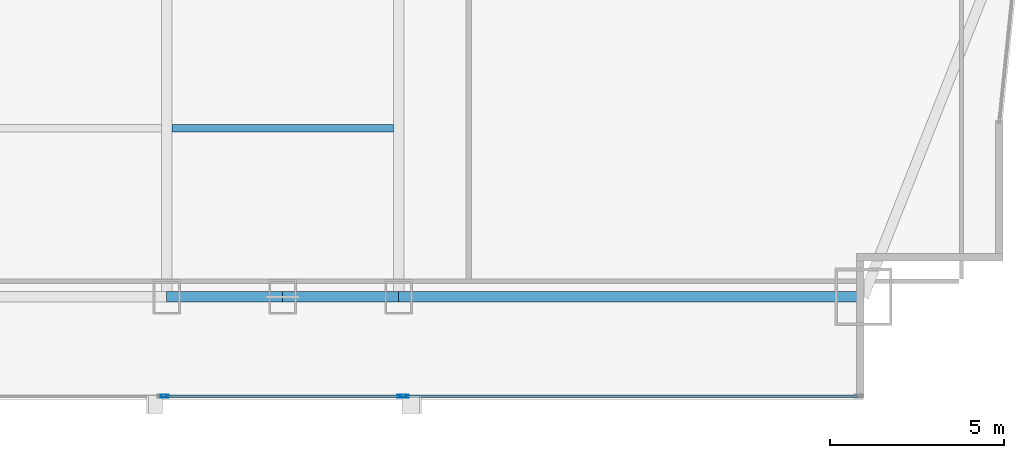
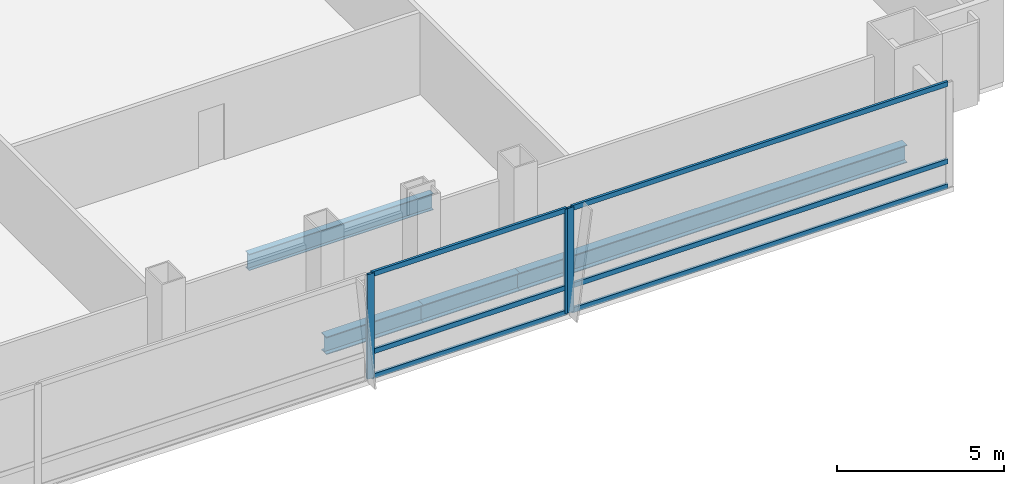
# One storey, part 14 of 33: 9 members, 4 beams, 2 elements without a shape of their own.
"""IFC4 building model written with IfcOpenShell, lengths in metres."""

import ifcopenshell
import ifcopenshell.guid

model = None  # the IFC model being written
_history = None  # IfcOwnerHistory: only IFC2X3 demands one
_inside = {}  # id of a spatial element -> (the spatial element, [elements in it])
_under = {}  # id of a project, library or spatial element -> (it, [spatial elements below it])
_declared = {}  # id of a project -> (the project, [libraries it declares])
_typed = {}  # id of a type object -> (the type object, [elements of that type])
_made_of = {}  # id of a material, layer set ... -> (it, [elements and type objects made of it])


def new_model(schema):
    """Start an empty IFC model of exactly this schema.

    Asked for "IFC4X3", IfcOpenShell would pick the latest addendum, in which some entities
    have other attributes; the version numbers below select the first issue.
    IFC2X3 requires an IfcOwnerHistory on every rooted entity: one is made here for all.
    """
    global model, _history
    if schema == "IFC4X3":
        model = ifcopenshell.file(schema_version=(4, 3, 0, 0))
    else:
        model = ifcopenshell.file(schema=schema)
    _inside.clear()
    _under.clear()
    _declared.clear()
    _typed.clear()
    _made_of.clear()
    _history = None
    if model.schema == "IFC2X3":
        org = make("IfcOrganization", Name="unknown")
        user = make(
            "IfcPersonAndOrganization",
            ThePerson=make("IfcPerson", FamilyName="unknown"),
            TheOrganization=org,
        )
        app = make(
            "IfcApplication",
            ApplicationDeveloper=org,
            Version="unknown",
            ApplicationFullName="unknown",
            ApplicationIdentifier="unknown",
        )
        _history = make(
            "IfcOwnerHistory",
            OwningUser=user,
            OwningApplication=app,
            ChangeAction="ADDED",
            CreationDate=0,
        )
    return model


def make(cls, **values):
    """One entity of the class cls with the attributes given. An attribute that is None is left unset."""
    return model.create_entity(
        cls, **{name: value for name, value in values.items() if value is not None}
    )


def rooted(cls, **values):
    """An entity with a GlobalId (a new one), such as an element, a storey or a relation."""
    return make(cls, GlobalId=ifcopenshell.guid.new(), OwnerHistory=_history, **values)


def si_unit(unit_type, name, prefix=None):
    """IfcSIUnit, for example si_unit("LENGTHUNIT", "METRE", prefix="MILLI")."""
    return make("IfcSIUnit", UnitType=unit_type, Prefix=prefix, Name=name)


def assignment(units):
    """IfcUnitAssignment: the units of a project."""
    return None if units is None else make("IfcUnitAssignment", Units=units)


def point(xyz):
    """IfcCartesianPoint."""
    return None if xyz is None else make("IfcCartesianPoint", Coordinates=xyz)


def direction(xyz):
    """IfcDirection."""
    return None if xyz is None else make("IfcDirection", DirectionRatios=xyz)


def frame(location, z_axis=None, x_axis=None):
    """IfcAxis2Placement3D, a coordinate frame: its origin and axes. An axis left out is left unset."""
    return make(
        "IfcAxis2Placement3D",
        Location=point(location),
        Axis=direction(z_axis),
        RefDirection=direction(x_axis),
    )


def frame_2d(location, x_axis=None):
    """IfcAxis2Placement2D, a coordinate frame in the plane: its origin and x axis."""
    return make(
        "IfcAxis2Placement2D", Location=point(location), RefDirection=direction(x_axis)
    )


def origin():
    """The frame at (0, 0, 0) with its axes left unset."""
    return frame((0.0, 0.0, 0.0))


def origin_2d():
    """The frame at (0, 0) in the plane with its x axis left unset."""
    return frame_2d((0.0, 0.0))


def place(relative_to, where):
    """IfcLocalPlacement: puts the frame where relative to a parent placement (None: the world)."""
    return make(
        "IfcLocalPlacement", PlacementRelTo=relative_to, RelativePlacement=where
    )


def context(
    kind, dimensions, precision=None, world=None, true_north=None, identifier=None
):
    """IfcGeometricRepresentationContext, for example the 3D "Model" context."""
    return make(
        "IfcGeometricRepresentationContext",
        ContextIdentifier=identifier,
        ContextType=kind,
        CoordinateSpaceDimension=dimensions,
        Precision=precision,
        WorldCoordinateSystem=world,
        TrueNorth=true_north,
    )


def subcontext(parent, identifier, kind, view, scale=None):
    """IfcGeometricRepresentationSubContext, for example "Body" below "Model"."""
    return make(
        "IfcGeometricRepresentationSubContext",
        ContextIdentifier=identifier,
        ContextType=kind,
        ParentContext=parent,
        TargetScale=scale,
        TargetView=view,
    )


def project(units=None, contexts=None):
    """IfcProject with its units and contexts."""
    return rooted(
        "IfcProject",
        Name="project",
        RepresentationContexts=contexts,
        UnitsInContext=assignment(units),
    )


def spatial(cls, under=None, at=None, **own):
    """A site, building, storey or space (cls), placed at a placement, below another one or the project."""
    s = rooted(cls, ObjectPlacement=at, **own)
    if under is not None:
        _under.setdefault(under.id(), (under, []))[1].append(s)
    return s


def profile(cls, at=None, kind="AREA", **sizes):
    """A parametric profile (cls). Its sizes go by their IFC names, for example OverallWidth=200.0."""
    return make(cls, ProfileType=kind, Position=at, **sizes)


def hollow_rectangle(**sizes):
    """IfcRectangleHollowProfileDef."""
    return profile("IfcRectangleHollowProfileDef", **sizes)


def i_section(**sizes):
    """IfcIShapeProfileDef."""
    return profile("IfcIShapeProfileDef", **sizes)


def extrude(swept, where, along, depth):
    """IfcExtrudedAreaSolid: the profile swept, set in the frame where, extruded along a direction by depth."""
    return make(
        "IfcExtrudedAreaSolid",
        SweptArea=swept,
        Position=where,
        ExtrudedDirection=direction(along),
        Depth=depth,
    )


def shape(context_of_items, identifier, shape_type, items):
    """IfcShapeRepresentation: the items that make up one representation, for example the "Body"."""
    return make(
        "IfcShapeRepresentation",
        ContextOfItems=context_of_items,
        RepresentationIdentifier=identifier,
        RepresentationType=shape_type,
        Items=items,
    )


def material(Name=None, Category=None):
    """IfcMaterial."""
    return make("IfcMaterial", Name=Name, Category=Category)


def material_profile(
    of_material, cross_section, Name=None, Category=None, Priority=None
):
    """IfcMaterialProfile: a cross section and its material."""
    return make(
        "IfcMaterialProfile",
        Name=Name,
        Material=of_material,
        Profile=cross_section,
        Priority=Priority,
        Category=Category,
    )


def profile_set(profiles, Name=None, composite=None):
    """IfcMaterialProfileSet."""
    return make(
        "IfcMaterialProfileSet",
        Name=Name,
        MaterialProfiles=profiles,
        CompositeProfile=composite,
    )


def made_of(thing, what):
    """Note that an element or type object is made of a material, layer set ...; save() writes the relation."""
    if what is not None:
        _made_of.setdefault(what.id(), (what, []))[1].append(thing)
    return thing


def type_object(cls, material=None, **own):
    """A type object (cls), such as IfcWallType, which elements share."""
    return made_of(rooted(cls, **own), material)


def element(
    cls,
    number,
    at=None,
    inside=None,
    cuts=None,
    type_object=None,
    material=None,
    context=None,
    identifier="Body",
    shape_type=None,
    held_by="IfcProductDefinitionShape",
    body=None,
    shapes=None,
    **own,
):
    """One element of the class cls, such as IfcWall. Its Tag is "e" and its number.

    at: its placement. inside: the storey or other place that contains it. cuts: it is an
    opening in that element (IfcRelVoidsElement). A single representation is given by context,
    identifier, shape_type and body (its items); several are given by shapes. held_by: the class
    of the entity that holds the representations. save() writes the other relations.
    """
    e = rooted(cls, Tag="e%d" % number, ObjectPlacement=at, **own)
    if body is not None:
        shapes = [shape(context, identifier, shape_type, body)]
    if shapes is not None:
        e.Representation = make(held_by, Representations=shapes)
    if inside is not None:
        _inside.setdefault(inside.id(), (inside, []))[1].append(e)
    if cuts is not None:
        rooted(
            "IfcRelVoidsElement", RelatingBuildingElement=cuts, RelatedOpeningElement=e
        )
    if type_object is not None:
        _typed.setdefault(type_object.id(), (type_object, []))[1].append(e)
    return made_of(e, material)


def aggregate(whole, parts):
    """IfcRelAggregates: a whole, such as a stair, and the parts it consists of."""
    return rooted("IfcRelAggregates", RelatingObject=whole, RelatedObjects=parts)


def save(model, path):
    """Write the relations noted so far, then the file.

    IfcRelAggregates (storeys below a building ...), IfcRelContainedInSpatialStructure (elements
    in a storey), IfcRelDefinesByType, IfcRelAssociatesMaterial and IfcRelDeclares: one each for
    every whole, place, type object, material and project.
    """
    for whole, parts in _under.values():
        aggregate(whole, parts)
    for where, things in _inside.values():
        rooted(
            "IfcRelContainedInSpatialStructure",
            RelatedElements=things,
            RelatingStructure=where,
        )
    for kind, things in _typed.values():
        rooted("IfcRelDefinesByType", RelatedObjects=things, RelatingType=kind)
    for what, things in _made_of.values():
        rooted("IfcRelAssociatesMaterial", RelatedObjects=things, RelatingMaterial=what)
    for by, libraries in _declared.values():
        rooted("IfcRelDeclares", RelatingContext=by, RelatedDefinitions=libraries)
    model.write(path)


model = new_model("IFC4")

# Units and contexts
model_context = context("Model", 3, precision=1e-05, world=origin(), true_north=direction((0.0, 1.0)))
body_context = subcontext(model_context, "Body", "Model", "MODEL_VIEW")
ifc_project = project(units=[si_unit("LENGTHUNIT", "METRE"), si_unit("AREAUNIT", "SQUARE_METRE"), si_unit("VOLUMEUNIT", "CUBIC_METRE"), si_unit("PLANEANGLEUNIT", "RADIAN"), si_unit("MASSUNIT", "GRAM", prefix="KILO")], contexts=[model_context])

# Site, building, storey
site_placement = place(None, origin())
site = spatial("IfcSite", under=ifc_project, at=site_placement, CompositionType="ELEMENT")
building_placement = place(site_placement, origin())
building = spatial("IfcBuilding", under=site, at=building_placement, Name="Khoronbel Lancet Exchange", CompositionType="ELEMENT")
storey_placement = place(building_placement, frame((0.0, 0.0, 33.800048828125)))
storey = spatial("IfcBuildingStorey", under=building, at=storey_placement, Name="L07", CompositionType="ELEMENT", Elevation=33.800048828125)

# Beams
ifc_material_1 = material(Name="Steel S355", Category="steel")
ifc_material_profile_1 = material_profile(ifc_material_1, i_section(OverallWidth=0.219970703125, OverallDepth=0.60009765625, WebThickness=0.011962890625, FlangeThickness=0.01904296875, at=origin_2d()), Name="IPE 600")
ifc_profile_set_1 = profile_set([ifc_material_profile_1], Name="Steel S355")
beam_type_1 = type_object("IfcBeamType", Name="BM-BJ1", PredefinedType="JOIST", material=ifc_profile_set_1)
beam_1_placement = place(storey_placement, frame((48.14990234375, 15.0, -0.47998046875), z_axis=(1.0, 0.0, 0.0), x_axis=(0.0, 1.0, 0.0)))
element("IfcBeam", 1, at=beam_1_placement, inside=storey, type_object=beam_type_1, Name="Level L07 secondary composite joist J05", PredefinedType="JOIST", context=body_context, shape_type="SweptSolid", body=[
    extrude(i_section(OverallWidth=0.219970703125, OverallDepth=0.60009765625, WebThickness=0.011962890625, FlangeThickness=0.01904296875, at=origin_2d()), origin(), (0.0, 0.0, 1.0), 6.375),
])
ifc_material_profile_2 = material_profile(ifc_material_1, i_section(OverallWidth=0.300048828125, OverallDepth=0.64990234375, WebThickness=0.01611328125, FlangeThickness=0.031005859375, at=origin_2d()), Name="HEB 650")
ifc_profile_set_2 = profile_set([ifc_material_profile_2], Name="Steel S355")
beam_type_2 = type_object("IfcBeamType", Name="BM-BSP1", PredefinedType="SPANDREL", material=ifc_profile_set_2)
beam_2_placement = place(storey_placement, frame((48.0, 10.14990234375, -0.505126953125), z_axis=(1.0, 0.0, 0.0), x_axis=(0.0, 1.0, 0.0)))
element("IfcBeam", 2, at=beam_2_placement, inside=storey, type_object=beam_type_2, Name="Level L07 perimeter spandrel beam SP07", PredefinedType="SPANDREL", context=body_context, shape_type="SweptSolid", body=[
    extrude(i_section(OverallWidth=0.300048828125, OverallDepth=0.64990234375, WebThickness=0.01611328125, FlangeThickness=0.031005859375, at=origin_2d()), origin(), (0.0, 0.0, 1.0), 3.33740234375),
])
beam_3_placement = place(storey_placement, frame((51.33740234375, 10.14990234375, -0.505126953125), z_axis=(1.0, 0.0, 0.0), x_axis=(0.0, 1.0, 0.0)))
element("IfcBeam", 3, at=beam_3_placement, inside=storey, type_object=beam_type_2, Name="Level L07 perimeter spandrel beam SP08", PredefinedType="SPANDREL", context=body_context, shape_type="SweptSolid", body=[
    extrude(i_section(OverallWidth=0.300048828125, OverallDepth=0.64990234375, WebThickness=0.01611328125, FlangeThickness=0.031005859375, at=origin_2d()), origin(), (0.0, 0.0, 1.0), 3.337646484375),
])
beam_4_placement = place(storey_placement, frame((54.675048828125, 10.14990234375, -0.505126953125), z_axis=(1.0, 0.0, 0.0), x_axis=(0.0, 1.0, 0.0)))
element("IfcBeam", 4, at=beam_4_placement, inside=storey, type_object=beam_type_2, Name="Level L07 perimeter spandrel beam SP09", PredefinedType="SPANDREL", context=body_context, shape_type="SweptSolid", body=[
    extrude(i_section(OverallWidth=0.300048828125, OverallDepth=0.64990234375, WebThickness=0.01611328125, FlangeThickness=0.031005859375, at=origin_2d()), origin(), (0.0, 0.0, 1.0), 13.375),
])

# Curtain wall, members
ifc_material_2 = material(Name="Low-E Solar Control Insulating Glass", Category="glass")
curtain_wall_type = type_object("IfcCurtainWallType", Name="CW-1", PredefinedType="NOTDEFINED", material=ifc_material_2)
curtain_wall_1_placement = place(storey_placement, origin())
curtain_wall_1 = element("IfcCurtainWall", 5, at=curtain_wall_1_placement, inside=storey, type_object=curtain_wall_type, Name="Unitised curtain wall CW-L07-SEB", PredefinedType="NOTDEFINED")
ifc_material_3 = material(Name="Bronze-Anodised Aluminium 6063-T6", Category="aluminium")
ifc_material_profile_3 = material_profile(ifc_material_3, hollow_rectangle(XDim=0.0849609375, YDim=0.239990234375, WallThickness=0.006103515625, at=origin_2d()), Name="ALU MULLION 85x240")
ifc_profile_set_3 = profile_set([ifc_material_profile_3], Name="Bronze-Anodised Aluminium 6063-T6")
member_type_1 = type_object("IfcMemberType", Name="MEM-CWM1", PredefinedType="MULLION", material=ifc_profile_set_3)
member_1_placement = place(storey_placement, frame((47.9423828125, 7.2900390625, 0.0), z_axis=(0.0, 0.0, 1.0), x_axis=(0.0, 1.0, 0.0)))
member_1 = element("IfcMember", 6, at=member_1_placement, type_object=member_type_1, Name="CW1 mullion 1", PredefinedType="MULLION", context=body_context, shape_type="SweptSolid", body=[
    extrude(hollow_rectangle(XDim=0.0849609375, YDim=0.239990234375, WallThickness=0.006103515625, at=origin_2d()), origin(), (0.0, 0.0, 1.0), 3.820068359375),
])
member_2_placement = place(storey_placement, frame((54.757568359375, 7.2900390625, 0.0), z_axis=(0.0, 0.0, 1.0), x_axis=(0.0, 1.0, 0.0)))
member_2 = element("IfcMember", 7, at=member_2_placement, type_object=member_type_1, Name="CW1 mullion 2", PredefinedType="MULLION", context=body_context, shape_type="SweptSolid", body=[
    extrude(hollow_rectangle(XDim=0.0849609375, YDim=0.239990234375, WallThickness=0.006103515625, at=origin_2d()), origin(), (0.0, 0.0, 1.0), 3.820068359375),
])

# Curtain wall, member
curtain_wall_2_placement = place(storey_placement, origin())
curtain_wall_2 = element("IfcCurtainWall", 8, at=curtain_wall_2_placement, inside=storey, type_object=curtain_wall_type, Name="Unitised curtain wall CW-L07-SEV", PredefinedType="NOTDEFINED")
member_3_placement = place(storey_placement, frame((54.842529296875, 7.2900390625, 0.0), z_axis=(0.0, 0.0, 1.0), x_axis=(0.0, 1.0, 0.0)))
member_3 = element("IfcMember", 9, at=member_3_placement, type_object=member_type_1, Name="CW1 mullion 1", PredefinedType="MULLION", context=body_context, shape_type="SweptSolid", body=[
    extrude(hollow_rectangle(XDim=0.0849609375, YDim=0.239990234375, WallThickness=0.006103515625, at=origin_2d()), origin(), (0.0, 0.0, 1.0), 3.820068359375),
])

# Member
ifc_material_profile_4 = material_profile(ifc_material_3, hollow_rectangle(XDim=0.0849609375, YDim=0.179931640625, WallThickness=0.0048828125, at=origin_2d()), Name="ALU TRANSOM 85x180")
ifc_profile_set_4 = profile_set([ifc_material_profile_4], Name="Bronze-Anodised Aluminium 6063-T6")
member_type_2 = type_object("IfcMemberType", Name="MEM-CWT1", PredefinedType="USERDEFINED", material=ifc_profile_set_4)
member_4_placement = place(storey_placement, frame((47.985107421875, 7.2900390625, 0.04248046875), z_axis=(1.0, 0.0, 0.0), x_axis=(0.0, 1.0, 0.0)))
member_4 = element("IfcMember", 10, at=member_4_placement, type_object=member_type_2, Name="CW1 transom 1.1", ObjectType="TRANSOM", PredefinedType="USERDEFINED", context=body_context, shape_type="SweptSolid", body=[
    extrude(hollow_rectangle(XDim=0.0849609375, YDim=0.179931640625, WallThickness=0.0048828125, at=origin_2d()), origin(), (0.0, 0.0, 1.0), 6.72998046875),
])

member_5_placement = place(storey_placement, frame((47.985107421875, 7.2900390625, 0.949951171875), z_axis=(1.0, 0.0, 0.0), x_axis=(0.0, 1.0, 0.0)))
member_5 = element("IfcMember", 11, at=member_5_placement, type_object=member_type_2, Name="CW1 transom 1.2", ObjectType="TRANSOM", PredefinedType="USERDEFINED", context=body_context, shape_type="SweptSolid", body=[
    extrude(hollow_rectangle(XDim=0.0849609375, YDim=0.179931640625, WallThickness=0.0048828125, at=origin_2d()), origin(), (0.0, 0.0, 1.0), 6.72998046875),
])

member_6_placement = place(storey_placement, frame((47.985107421875, 7.2900390625, 3.77734375), z_axis=(1.0, 0.0, 0.0), x_axis=(0.0, 1.0, 0.0)))
member_6 = element("IfcMember", 12, at=member_6_placement, type_object=member_type_2, Name="CW1 transom 1.3", ObjectType="TRANSOM", PredefinedType="USERDEFINED", context=body_context, shape_type="SweptSolid", body=[
    extrude(hollow_rectangle(XDim=0.0849609375, YDim=0.179931640625, WallThickness=0.0048828125, at=origin_2d()), origin(), (0.0, 0.0, 1.0), 6.72998046875),
])

aggregate(curtain_wall_1, [member_1, member_2, member_4, member_5, member_6])

member_7_placement = place(storey_placement, frame((54.885009765625, 7.2900390625, 0.04248046875), z_axis=(1.0, 0.0, 0.0), x_axis=(0.0, 1.0, 0.0)))
member_7 = element("IfcMember", 13, at=member_7_placement, type_object=member_type_2, Name="CW1 transom 1.1", ObjectType="TRANSOM", PredefinedType="USERDEFINED", context=body_context, shape_type="SweptSolid", body=[
    extrude(hollow_rectangle(XDim=0.0849609375, YDim=0.179931640625, WallThickness=0.0048828125, at=origin_2d()), origin(), (0.0, 0.0, 1.0), 12.989990234375),
])

member_8_placement = place(storey_placement, frame((54.885009765625, 7.2900390625, 0.949951171875), z_axis=(1.0, 0.0, 0.0), x_axis=(0.0, 1.0, 0.0)))
member_8 = element("IfcMember", 14, at=member_8_placement, type_object=member_type_2, Name="CW1 transom 1.2", ObjectType="TRANSOM", PredefinedType="USERDEFINED", context=body_context, shape_type="SweptSolid", body=[
    extrude(hollow_rectangle(XDim=0.0849609375, YDim=0.179931640625, WallThickness=0.0048828125, at=origin_2d()), origin(), (0.0, 0.0, 1.0), 12.989990234375),
])

member_9_placement = place(storey_placement, frame((54.885009765625, 7.2900390625, 3.77734375), z_axis=(1.0, 0.0, 0.0), x_axis=(0.0, 1.0, 0.0)))
member_9 = element("IfcMember", 15, at=member_9_placement, type_object=member_type_2, Name="CW1 transom 1.3", ObjectType="TRANSOM", PredefinedType="USERDEFINED", context=body_context, shape_type="SweptSolid", body=[
    extrude(hollow_rectangle(XDim=0.0849609375, YDim=0.179931640625, WallThickness=0.0048828125, at=origin_2d()), origin(), (0.0, 0.0, 1.0), 12.989990234375),
])

aggregate(curtain_wall_2, [member_3, member_7, member_8, member_9])

save(model, "model.ifc")
